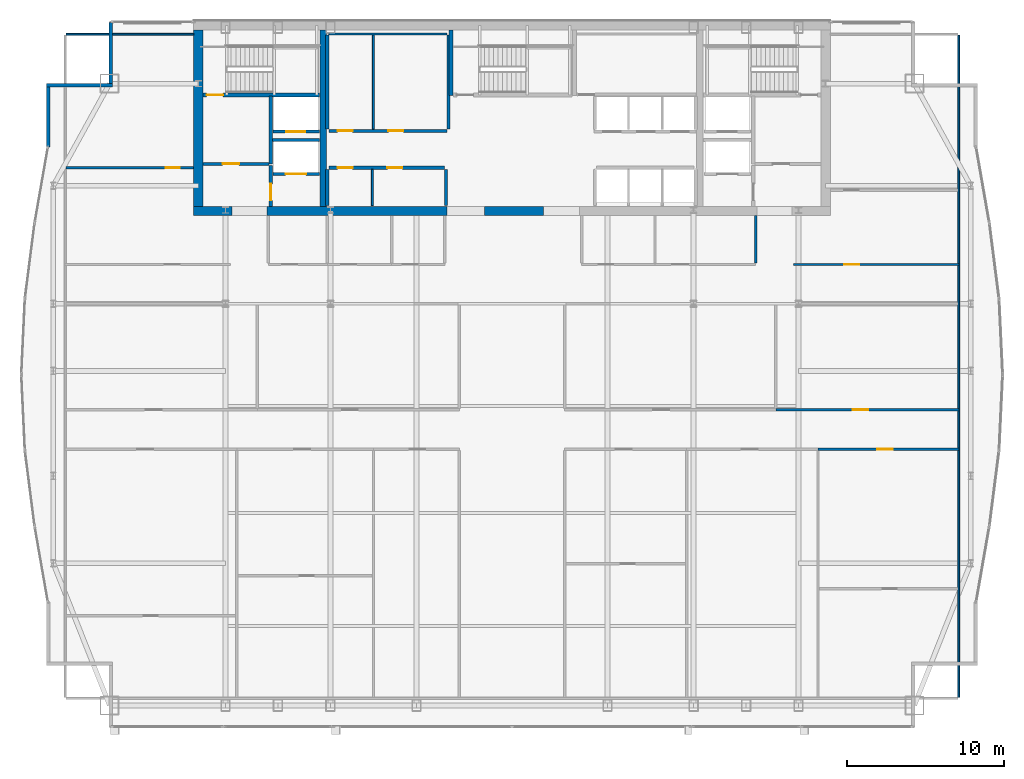
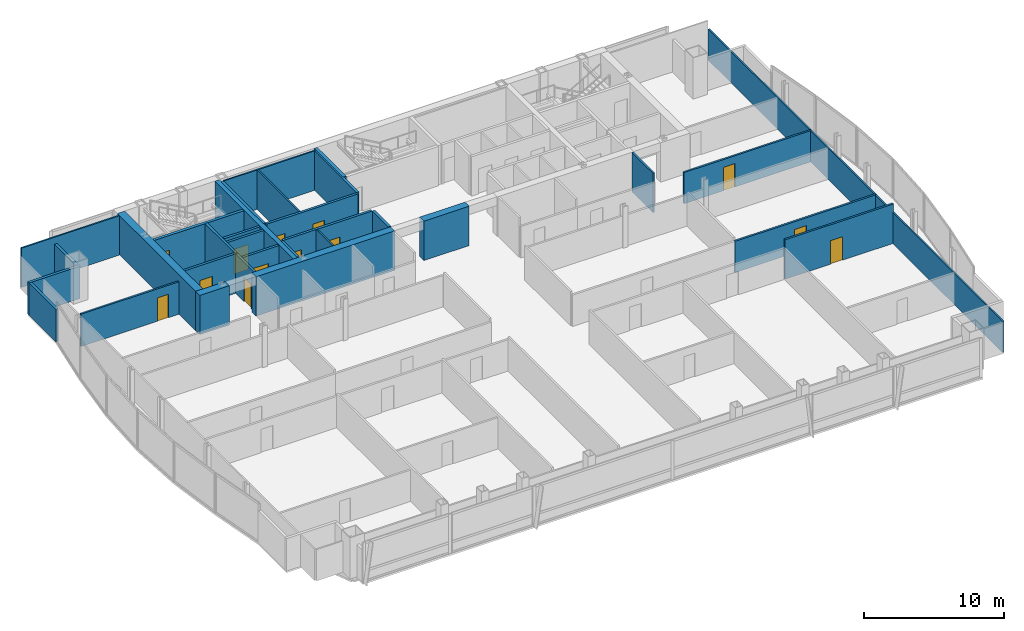
# One storey, part 26 of 30: 32 walls, 13 doors, 13 openings.
"""IFC4 building model written with IfcOpenShell, lengths in metres."""

from ifc_helpers import new_model, si_unit, direction, frame, frame_2d, origin, place, context, subcontext, project, spatial, rectangle, extrude, material, layer, layer_set, type_object, element, fill, save


model = new_model("IFC4")

# Units and contexts
model_context = context("Model", 3, precision=1e-05, world=origin(), true_north=direction((0.0, 1.0)))
body_context = subcontext(model_context, "Body", "Model", "MODEL_VIEW")
ifc_project = project(units=[si_unit("LENGTHUNIT", "METRE"), si_unit("AREAUNIT", "SQUARE_METRE"), si_unit("VOLUMEUNIT", "CUBIC_METRE"), si_unit("PLANEANGLEUNIT", "RADIAN"), si_unit("MASSUNIT", "GRAM", prefix="KILO")], contexts=[model_context])

# Site, building, storey
site_placement = place(None, origin())
site = spatial("IfcSite", under=ifc_project, at=site_placement, CompositionType="ELEMENT")
building_placement = place(site_placement, origin())
building = spatial("IfcBuilding", under=site, at=building_placement, Name="Khoronbel Lancet Exchange", CompositionType="ELEMENT")
storey_placement = place(building_placement, frame((0.0, 0.0, 203.0)))
storey = spatial("IfcBuildingStorey", under=building, at=storey_placement, Name="L51", CompositionType="ELEMENT", Elevation=203.0)

# Walls
ifc_material_1 = material(Name="Concrete C60/75", Category="concrete")
ifc_layer_1 = layer(ifc_material_1, 0.60009765625, Name="Concrete C60/75")
ifc_layer_set_1 = layer_set([ifc_layer_1], Name="Concrete C60/75")
wall_type_1 = type_object("IfcWallType", Name="WL-CW3", PredefinedType="SHEAR", material=ifc_layer_set_1)
wall_1_placement = place(storey_placement, frame((16.5, 41.89990234375, 0.0), z_axis=(0.0, 0.0, 1.0), x_axis=(0.0, 1.0, 0.0)))
element("IfcWall", 1, at=wall_1_placement, inside=storey, type_object=wall_type_1, Name="Level L51 rear core west shear wall", PredefinedType="SHEAR", context=body_context, shape_type="SweptSolid", body=[
    extrude(rectangle(XDim=11.2001953125, YDim=0.60009765625, at=frame_2d((5.60009765625, 0.0))), origin(), (0.0, 0.0, 1.0), 3.43994140625),
])
wall_2_placement = place(storey_placement, frame((18.64990234375, 41.60009765625, 0.0), z_axis=(0.0, 0.0, 1.0), x_axis=(-1.0, 0.0, 0.0)))
element("IfcWall", 2, at=wall_2_placement, inside=storey, type_object=wall_type_1, Name="Level L51 rear core south shear wall pier P1", PredefinedType="SHEAR", context=body_context, shape_type="SweptSolid", body=[
    extrude(rectangle(XDim=2.449951171875, YDim=0.60009765625, at=frame_2d((1.22509765625, 0.0))), origin(), (0.0, 0.0, 1.0), 3.43994140625),
])
wall_3_placement = place(storey_placement, frame((32.300048828125, 41.60009765625, 0.0), z_axis=(0.0, 0.0, 1.0), x_axis=(-1.0, 0.0, 0.0)))
element("IfcWall", 3, at=wall_3_placement, inside=storey, type_object=wall_type_1, Name="Level L51 rear core south shear wall pier P2", PredefinedType="SHEAR", context=body_context, shape_type="SweptSolid", body=[
    extrude(rectangle(XDim=11.449951171875, YDim=0.60009765625, at=frame_2d((5.72509765625, 0.0))), origin(), (0.0, 0.0, 1.0), 3.43994140625),
])
wall_4_placement = place(storey_placement, frame((38.449951171875, 41.60009765625, 0.0), z_axis=(0.0, 0.0, 1.0), x_axis=(-1.0, 0.0, 0.0)))
element("IfcWall", 4, at=wall_4_placement, inside=storey, type_object=wall_type_1, Name="Level L51 rear core south shear wall pier P3", PredefinedType="SHEAR", context=body_context, shape_type="SweptSolid", body=[
    extrude(rectangle(XDim=3.75, YDim=0.60009765625, at=frame_2d((1.875, 0.0))), origin(), (0.0, 0.0, 1.0), 3.43994140625),
])
ifc_material_2 = material(Name="Precast concrete C40/50", Category="concrete")
ifc_layer_2 = layer(ifc_material_2, 0.25, Name="Precast concrete C40/50")
ifc_layer_set_2 = layer_set([ifc_layer_2], Name="Precast concrete C40/50")
wall_type_2 = type_object("IfcWallType", Name="WL-EXT250", PredefinedType="SOLIDWALL", material=ifc_layer_set_2)
wall_5_placement = place(storey_placement, frame((6.93994140625, 45.672119140625, 0.0), z_axis=(0.0, 0.0, 1.0), x_axis=(0.0, 1.0, 0.0)))
element("IfcWall", 5, at=wall_5_placement, inside=storey, type_object=wall_type_2, Name="Level L51 notched-corner limestone pier 10", PredefinedType="SOLIDWALL", context=body_context, shape_type="SweptSolid", body=[
    extrude(rectangle(XDim=3.827880859375, YDim=0.219970703125, at=frame_2d((1.9140625, 0.0))), origin(), (0.0, 0.0, 1.0), 2.830078125),
])
wall_6_placement = place(storey_placement, frame((6.830078125, 49.610107421875, 0.0), z_axis=(0.0, 0.0, 1.0), x_axis=(1.0, 0.0, 0.0)))
element("IfcWall", 6, at=wall_6_placement, inside=storey, type_object=wall_type_2, Name="Level L51 notched-corner limestone pier 11", PredefinedType="SOLIDWALL", context=body_context, shape_type="SweptSolid", body=[
    extrude(rectangle(XDim=4.219970703125, YDim=0.219970703125, at=frame_2d((2.10986328125, 0.0))), origin(), (0.0, 0.0, 1.0), 2.830078125),
])
wall_7_placement = place(storey_placement, frame((10.93994140625, 49.719970703125, 0.0), z_axis=(0.0, 0.0, 1.0), x_axis=(0.0, 1.0, 0.0)))
element("IfcWall", 7, at=wall_7_placement, inside=storey, type_object=wall_type_2, Name="Level L51 notched-corner limestone pier 12", PredefinedType="SOLIDWALL", context=body_context, shape_type="SweptSolid", body=[
    extrude(rectangle(XDim=3.909912109375, YDim=0.219970703125, at=frame_2d((1.955078125, 0.0))), origin(), (0.0, 0.0, 1.0), 2.830078125),
])
ifc_material_3 = material(Name="Acoustic Metal-Stud & Mineral-Wool Gypsum Partition 120 mm", Category="gypsum")
ifc_layer_3 = layer(ifc_material_3, 0.1201171875, Name="Acoustic Metal-Stud & Mineral-Wool Gypsum Partition 120 mm")
ifc_layer_set_3 = layer_set([ifc_layer_3], Name="Acoustic Metal-Stud & Mineral-Wool Gypsum Partition 120 mm")
wall_type_3 = type_object("IfcWallType", Name="WL-PRT120", PredefinedType="PARTITIONING", material=ifc_layer_set_3)
wall_8_placement = place(storey_placement, frame((51.949951171875, 38.280029296875, 0.0), z_axis=(0.0, 0.0, 1.0), x_axis=(0.0, 1.0, 0.0)))
element("IfcWall", 8, at=wall_8_placement, inside=storey, type_object=wall_type_3, Name="Level L51 interior partition PW-NP-1", PredefinedType="PARTITIONING", context=body_context, shape_type="SweptSolid", body=[
    extrude(rectangle(XDim=3.02001953125, YDim=0.14990234375, at=frame_2d((1.510009765625, 0.0))), origin(), (0.0, 0.0, 1.0), 3.43994140625),
])

# Wall, opening, door
wall_9_placement = place(storey_placement, frame((8.094970703125, 44.35009765625, 0.0), z_axis=(0.0, 0.0, 1.0), x_axis=(1.0, 0.0, 0.0)))
wall_9 = element("IfcWall", 9, at=wall_9_placement, inside=storey, type_object=wall_type_3, Name="Level L51 interior partition PW-NW-H", PredefinedType="PARTITIONING", context=body_context, shape_type="SweptSolid", body=[
    extrude(rectangle(XDim=8.10498046875, YDim=0.14990234375, at=frame_2d((4.052490234375, 0.0))), origin(), (0.0, 0.0, 1.0), 2.830078125),
])
opening_1_placement = place(wall_9_placement, frame((6.320068359375, 0.0, 0.0)))
opening_1 = element("IfcOpeningElement", 10, at=opening_1_placement, cuts=wall_9, Name="Opening D5", PredefinedType="OPENING", context=body_context, shape_type="SweptSolid", body=[
    extrude(rectangle(XDim=0.89990234375, YDim=2.050048828125, at=frame_2d((0.449951171875, 1.02490234375))), frame((0.0, 0.0849609375, 0.0), z_axis=(0.0, -1.0, 0.0), x_axis=(1.0, 0.0, 0.0)), (0.0, 0.0, 1.0), 0.169921875),
])
ifc_material_4 = material(Name="Acoustic Timber Pantry & Support Door", Category="wood")
door_type_1 = type_object("IfcDoorType", Name="DR-D5", OperationType="NOTDEFINED", PredefinedType="DOOR", material=ifc_material_4)
door_1_placement = place(opening_1_placement, origin())
door_1 = element("IfcDoor", 11, at=door_1_placement, inside=storey, type_object=door_type_1, Name="NW north room door L51-1", OperationType="SINGLE_SWING_LEFT", OverallHeight=2.050048828125, OverallWidth=0.89990234375, PredefinedType="DOOR", context=body_context, shape_type="SweptSolid", body=[
    extrude(rectangle(XDim=0.89990234375, YDim=2.050048828125, at=frame_2d((0.449951171875, 1.02490234375))), frame((0.0, 0.02490234375, 0.0), z_axis=(0.0, -1.0, 0.0), x_axis=(1.0, 0.0, 0.0)), (0.0, 0.0, 1.0), 0.050048828125),
])
fill(opening_1, door_1)

# Walls
wall_10_placement = place(storey_placement, frame((64.8701171875, 10.6650390625, 0.0), z_axis=(0.0, 0.0, 1.0), x_axis=(0.0, 1.0, 0.0)))
element("IfcWall", 12, at=wall_10_placement, inside=storey, type_object=wall_type_3, Name="Level L51 interior partition PW-LIN-E", PredefinedType="PARTITIONING", context=body_context, shape_type="SweptSolid", body=[
    extrude(rectangle(XDim=42.10986328125, YDim=0.1201171875, at=frame_2d((21.054931640625, 0.0))), origin(), (0.0, 0.0, 1.0), 2.72998046875),
])
wall_11_placement = place(storey_placement, frame((8.094970703125, 52.840087890625, 0.0), z_axis=(0.0, 0.0, 1.0), x_axis=(1.0, 0.0, 0.0)))
element("IfcWall", 13, at=wall_11_placement, inside=storey, type_object=wall_type_3, Name="Level L51 interior partition PW-LIN-NW", PredefinedType="PARTITIONING", context=body_context, shape_type="SweptSolid", body=[
    extrude(rectangle(XDim=8.10498046875, YDim=0.1201171875, at=frame_2d((4.052490234375, 0.0))), origin(), (0.0, 0.0, 1.0), 3.43994140625),
])
ifc_material_5 = material(Name="Fire-Rated Metal-Stud & Mineral-Wool Gypsum Partition 120 mm", Category="gypsum")
ifc_layer_4 = layer(ifc_material_5, 0.1201171875, Name="Fire-Rated Metal-Stud & Mineral-Wool Gypsum Partition 120 mm")
ifc_layer_set_4 = layer_set([ifc_layer_4], Name="Fire-Rated Metal-Stud & Mineral-Wool Gypsum Partition 120 mm")
wall_type_4 = type_object("IfcWallType", Name="WL-PRT120F", PredefinedType="PARTITIONING", material=ifc_layer_set_4)
wall_12_placement = place(storey_placement, frame((24.804931640625, 52.860107421875, 0.0), z_axis=(0.0, 0.0, 1.0), x_axis=(1.0, 0.0, 0.0)))
element("IfcWall", 14, at=wall_12_placement, inside=storey, type_object=wall_type_4, Name="Level L51 interior partition CW-PL-RN", PredefinedType="PARTITIONING", context=body_context, shape_type="SweptSolid", body=[
    extrude(rectangle(XDim=7.510009765625, YDim=0.1201171875, at=frame_2d((3.7548828125, 0.0))), origin(), (0.0, 0.0, 1.0), 3.43994140625),
])
wall_13_placement = place(storey_placement, frame((27.633544921875, 46.804931640625, 0.0), z_axis=(0.0, 0.0, 1.0), x_axis=(0.0, 1.0, 0.0)))
element("IfcWall", 15, at=wall_13_placement, inside=storey, type_object=wall_type_4, Name="Level L51 interior partition CW-PL-RS1", PredefinedType="PARTITIONING", context=body_context, shape_type="SweptSolid", body=[
    extrude(rectangle(XDim=5.989990234375, YDim=0.1201171875, at=frame_2d((2.9951171875, 0.0))), origin(), (0.0, 0.0, 1.0), 3.43994140625),
])
wall_14_placement = place(storey_placement, frame((27.569091796875, 41.949951171875, 0.0), z_axis=(0.0, 0.0, 1.0), x_axis=(0.0, 1.0, 0.0)))
element("IfcWall", 16, at=wall_14_placement, inside=storey, type_object=wall_type_4, Name="Level L51 interior partition CW-PM-RS1", PredefinedType="PARTITIONING", context=body_context, shape_type="SweptSolid", body=[
    extrude(rectangle(XDim=2.295166015625, YDim=0.1201171875, at=frame_2d((1.1474609375, 0.0))), origin(), (0.0, 0.0, 1.0), 3.43994140625),
])

# Wall, opening, door
ifc_material_6 = material(Name="Fire-Rated Twin-Stud Acoustic Gypsum Partition 150 mm", Category="gypsum")
ifc_layer_5 = layer(ifc_material_6, 0.14990234375, Name="Fire-Rated Twin-Stud Acoustic Gypsum Partition 150 mm")
ifc_layer_set_5 = layer_set([ifc_layer_5], Name="Fire-Rated Twin-Stud Acoustic Gypsum Partition 150 mm")
wall_type_5 = type_object("IfcWallType", Name="WL-PRT150C", PredefinedType="PARTITIONING", material=ifc_layer_set_5)
wall_15_placement = place(storey_placement, frame((54.35009765625, 38.199951171875, 0.0), z_axis=(0.0, 0.0, 1.0), x_axis=(1.0, 0.0, 0.0)))
wall_15 = element("IfcWall", 17, at=wall_15_placement, inside=storey, type_object=wall_type_5, Name="Level L51 interior partition PW-NE-S", PredefinedType="PARTITIONING", context=body_context, shape_type="SweptSolid", body=[
    extrude(rectangle(XDim=10.52001953125, YDim=0.14990234375, at=frame_2d((5.260009765625, 0.0))), origin(), (0.0, 0.0, 1.0), 2.72998046875),
])
opening_2_placement = place(wall_15_placement, frame((3.25, 0.0, 0.0)))
opening_2 = element("IfcOpeningElement", 18, at=opening_2_placement, cuts=wall_15, Name="Opening D1", PredefinedType="OPENING", context=body_context, shape_type="SweptSolid", body=[
    extrude(rectangle(XDim=0.949951171875, YDim=2.050048828125, at=frame_2d((0.47509765625, 1.02490234375))), frame((0.0, 0.0849609375, 0.0), z_axis=(0.0, -1.0, 0.0), x_axis=(1.0, 0.0, 0.0)), (0.0, 0.0, 1.0), 0.169921875),
])
ifc_material_7 = material(Name="Acoustic Veneered Timber & Bronze Frame Door", Category="wood")
door_type_2 = type_object("IfcDoorType", Name="DR-D1", OperationType="NOTDEFINED", PredefinedType="DOOR", material=ifc_material_7)
door_2_placement = place(opening_2_placement, origin())
door_2 = element("IfcDoor", 19, at=door_2_placement, inside=storey, type_object=door_type_2, Name="NE corner room door L51-1", OperationType="SINGLE_SWING_RIGHT", OverallHeight=2.050048828125, OverallWidth=0.949951171875, PredefinedType="DOOR", context=body_context, shape_type="SweptSolid", body=[
    extrude(rectangle(XDim=0.949951171875, YDim=2.050048828125, at=frame_2d((0.47509765625, 1.02490234375))), frame((0.0, 0.02490234375, 0.0), z_axis=(0.0, -1.0, 0.0), x_axis=(1.0, 0.0, 0.0)), (0.0, 0.0, 1.0), 0.050048828125),
])
fill(opening_2, door_2)

ifc_material_8 = material(Name="Fire-Rated Twin-Stud Acoustic Gypsum Partition 160 mm", Category="gypsum")
ifc_layer_6 = layer(ifc_material_8, 0.159912109375, Name="Fire-Rated Twin-Stud Acoustic Gypsum Partition 160 mm")
ifc_layer_set_6 = layer_set([ifc_layer_6], Name="Fire-Rated Twin-Stud Acoustic Gypsum Partition 160 mm")
wall_type_6 = type_object("IfcWallType", Name="WL-PRT160C", PredefinedType="PARTITIONING", material=ifc_layer_set_6)
wall_16_placement = place(storey_placement, frame((55.91650390625, 26.449951171875, 0.0), z_axis=(0.0, 0.0, 1.0), x_axis=(1.0, 0.0, 0.0)))
wall_16 = element("IfcWall", 20, at=wall_16_placement, inside=storey, type_object=wall_type_6, Name="Level L51 interior partition PW-Z3SE-COR3", PredefinedType="PARTITIONING", context=body_context, shape_type="SweptSolid", body=[
    extrude(rectangle(XDim=8.95361328125, YDim=0.159912109375, at=frame_2d((4.476806640625, 0.0))), origin(), (0.0, 0.0, 1.0), 3.43994140625),
])
opening_3_placement = place(wall_16_placement, frame((3.760498046875, 0.0, 0.0)))
opening_3 = element("IfcOpeningElement", 21, at=opening_3_placement, cuts=wall_16, Name="Opening D2", PredefinedType="OPENING", context=body_context, shape_type="SweptSolid", body=[
    extrude(rectangle(XDim=1.0, YDim=2.050048828125, at=frame_2d((0.5, 1.02490234375))), frame((0.0, 0.08984375, 0.0), z_axis=(0.0, -1.0, 0.0), x_axis=(1.0, 0.0, 0.0)), (0.0, 0.0, 1.0), 0.179931640625),
])
door_type_3 = type_object("IfcDoorType", Name="DR-D2", OperationType="NOTDEFINED", PredefinedType="DOOR", material=ifc_material_7)
door_3_placement = place(opening_3_placement, origin())
door_3 = element("IfcDoor", 22, at=door_3_placement, inside=storey, type_object=door_type_3, Name="Z3SE bay 3 door L51-1", OperationType="SINGLE_SWING_LEFT", OverallHeight=2.050048828125, OverallWidth=1.0, PredefinedType="DOOR", context=body_context, shape_type="SweptSolid", body=[
    extrude(rectangle(XDim=1.0, YDim=2.050048828125, at=frame_2d((0.5, 1.02490234375))), frame((0.0, 0.02490234375, 0.0), z_axis=(0.0, -1.0, 0.0), x_axis=(1.0, 0.0, 0.0)), (0.0, 0.0, 1.0), 0.050048828125),
])
fill(opening_3, door_3)

wall_17_placement = place(storey_placement, frame((53.23046875, 28.949951171875, 0.0), z_axis=(0.0, 0.0, 1.0), x_axis=(1.0, 0.0, 0.0)))
wall_17 = element("IfcWall", 23, at=wall_17_placement, inside=storey, type_object=wall_type_6, Name="Level L51 interior partition PW-Z3NE-COR2", PredefinedType="PARTITIONING", context=body_context, shape_type="SweptSolid", body=[
    extrude(rectangle(XDim=11.6396484375, YDim=0.159912109375, at=frame_2d((5.81982421875, 0.0))), origin(), (0.0, 0.0, 1.0), 2.72998046875),
])
opening_4_placement = place(wall_17_placement, frame((4.888671875, 0.0, 0.0)))
opening_4 = element("IfcOpeningElement", 24, at=opening_4_placement, cuts=wall_17, Name="Opening D2", PredefinedType="OPENING", context=body_context, shape_type="SweptSolid", body=[
    extrude(rectangle(XDim=1.0, YDim=2.050048828125, at=frame_2d((0.5, 1.02490234375))), frame((0.0, 0.08984375, 0.0), z_axis=(0.0, -1.0, 0.0), x_axis=(1.0, 0.0, 0.0)), (0.0, 0.0, 1.0), 0.179931640625),
])
door_4_placement = place(opening_4_placement, origin())
door_4 = element("IfcDoor", 25, at=door_4_placement, inside=storey, type_object=door_type_3, Name="Z3NE bay 2 door L51-1", OperationType="SINGLE_SWING_RIGHT", OverallHeight=2.050048828125, OverallWidth=1.0, PredefinedType="DOOR", context=body_context, shape_type="SweptSolid", body=[
    extrude(rectangle(XDim=1.0, YDim=2.050048828125, at=frame_2d((0.5, 1.02490234375))), frame((0.0, 0.02490234375, 0.0), z_axis=(0.0, -1.0, 0.0), x_axis=(1.0, 0.0, 0.0)), (0.0, 0.0, 1.0), 0.050048828125),
])
fill(opening_4, door_4)

ifc_material_9 = material(Name="Autoclaved Aerated Concrete Blockwork 200 mm", Category="masonry")
ifc_layer_7 = layer(ifc_material_9, 0.199951171875, Name="Autoclaved Aerated Concrete Blockwork 200 mm")
ifc_layer_set_7 = layer_set([ifc_layer_7], Name="Autoclaved Aerated Concrete Blockwork 200 mm")
wall_type_7 = type_object("IfcWallType", Name="WL-PRT200", PredefinedType="PARTITIONING", material=ifc_layer_set_7)
wall_18_placement = place(storey_placement, frame((24.2099609375, 43.949951171875, 0.0), z_axis=(0.0, 0.0, 1.0), x_axis=(-1.0, 0.0, 0.0)))
wall_18 = element("IfcWall", 26, at=wall_18_placement, inside=storey, type_object=wall_type_7, Name="Level L51 elevator hoistway landing front wall SVLW", PredefinedType="PARTITIONING", context=body_context, shape_type="SweptSolid", body=[
    extrude(rectangle(XDim=2.969970703125, YDim=0.199951171875, at=frame_2d((1.48486328125, 0.0))), origin(), (0.0, 0.0, 1.0), 3.43994140625),
])
opening_5_placement = place(wall_18_placement, frame((0.860107421875, 0.0, 0.0)))
opening_5 = element("IfcOpeningElement", 27, at=opening_5_placement, cuts=wall_18, Name="Opening LD-SVL1", PredefinedType="OPENING", context=body_context, shape_type="SweptSolid", body=[
    extrude(rectangle(XDim=1.300048828125, YDim=2.179931640625, at=frame_2d((0.64990234375, 1.08984375))), frame((0.0, 0.10986328125, 0.0), z_axis=(0.0, -1.0, 0.0), x_axis=(1.0, 0.0, 0.0)), (0.0, 0.0, 1.0), 0.219970703125),
])
ifc_material_10 = material(Name="Heavy-Duty Bi-Parting Goods Lift Landing Door", Category="steel")
door_type_4 = type_object("IfcDoorType", Name="DR-LD-SVL", OperationType="NOTDEFINED", PredefinedType="DOOR", material=ifc_material_10)
door_5_placement = place(opening_5_placement, origin())
door_5 = element("IfcDoor", 28, at=door_5_placement, inside=storey, type_object=door_type_4, Name="Elevator landing sliding door LD-SVL1 L51", OperationType="SLIDING_TO_LEFT", OverallHeight=2.179931640625, OverallWidth=1.300048828125, PredefinedType="DOOR", context=body_context, shape_type="SweptSolid", body=[
    extrude(rectangle(XDim=1.300048828125, YDim=2.179931640625, at=frame_2d((0.64990234375, 1.08984375))), frame((0.0, 0.02490234375, 0.0), z_axis=(0.0, -1.0, 0.0), x_axis=(1.0, 0.0, 0.0)), (0.0, 0.0, 1.0), 0.050048828125),
])
fill(opening_5, door_5)

wall_19_placement = place(storey_placement, frame((24.2099609375, 46.64990234375, 0.0), z_axis=(0.0, 0.0, 1.0), x_axis=(-1.0, 0.0, 0.0)))
wall_19 = element("IfcWall", 29, at=wall_19_placement, inside=storey, type_object=wall_type_7, Name="Level L51 elevator hoistway landing front wall FFLW", PredefinedType="PARTITIONING", context=body_context, shape_type="SweptSolid", body=[
    extrude(rectangle(XDim=2.969970703125, YDim=0.199951171875, at=frame_2d((1.48486328125, 0.0))), origin(), (0.0, 0.0, 1.0), 3.43994140625),
])
opening_6_placement = place(wall_19_placement, frame((0.909912109375, 0.0, 0.0)))
opening_6 = element("IfcOpeningElement", 30, at=opening_6_placement, cuts=wall_19, Name="Opening LD-FFL1", PredefinedType="OPENING", context=body_context, shape_type="SweptSolid", body=[
    extrude(rectangle(XDim=1.199951171875, YDim=2.179931640625, at=frame_2d((0.60009765625, 1.08984375))), frame((0.0, 0.10986328125, 0.0), z_axis=(0.0, -1.0, 0.0), x_axis=(1.0, 0.0, 0.0)), (0.0, 0.0, 1.0), 0.219970703125),
])
ifc_material_11 = material(Name="Fire-Rated Stainless Bi-Parting Firefighting Lift Door", Category="steel")
door_type_5 = type_object("IfcDoorType", Name="DR-LD-FFL", OperationType="NOTDEFINED", PredefinedType="DOOR", material=ifc_material_11)
door_6_placement = place(opening_6_placement, origin())
door_6 = element("IfcDoor", 31, at=door_6_placement, inside=storey, type_object=door_type_5, Name="Elevator landing sliding door LD-FFL1 L51", OperationType="SLIDING_TO_LEFT", OverallHeight=2.179931640625, OverallWidth=1.199951171875, PredefinedType="DOOR", context=body_context, shape_type="SweptSolid", body=[
    extrude(rectangle(XDim=1.199951171875, YDim=2.179931640625, at=frame_2d((0.60009765625, 1.08984375))), frame((0.0, 0.02490234375, 0.0), z_axis=(0.0, -1.0, 0.0), x_axis=(1.0, 0.0, 0.0)), (0.0, 0.0, 1.0), 0.050048828125),
])
fill(opening_6, door_6)

# Wall
wall_20_placement = place(storey_placement, frame((21.10009765625, 44.60009765625, 0.0), z_axis=(0.0, 0.0, 1.0), x_axis=(0.0, 1.0, 0.0)))
element("IfcWall", 32, at=wall_20_placement, inside=storey, type_object=wall_type_7, Name="Level L51 interior partition CW-FFLW-E", PredefinedType="PARTITIONING", context=body_context, shape_type="SweptSolid", body=[
    extrude(rectangle(XDim=4.2998046875, YDim=0.199951171875, at=frame_2d((2.14990234375, 0.0))), origin(), (0.0, 0.0, 1.0), 3.43994140625),
])

# Wall, opening, door
wall_21_placement = place(storey_placement, frame((16.800048828125, 44.60009765625, 0.0), z_axis=(0.0, 0.0, 1.0), x_axis=(1.0, 0.0, 0.0)))
wall_21 = element("IfcWall", 33, at=wall_21_placement, inside=storey, type_object=wall_type_7, Name="Level L51 interior partition CW-FFLW-S", PredefinedType="PARTITIONING", context=body_context, shape_type="SweptSolid", body=[
    extrude(rectangle(XDim=4.199951171875, YDim=0.199951171875, at=frame_2d((2.10009765625, 0.0))), origin(), (0.0, 0.0, 1.0), 3.43994140625),
])
opening_7_placement = place(wall_21_placement, frame((1.25, 0.0, 0.0)))
opening_7 = element("IfcOpeningElement", 34, at=opening_7_placement, cuts=wall_21, Name="Opening FD1", PredefinedType="OPENING", context=body_context, shape_type="SweptSolid", body=[
    extrude(rectangle(XDim=1.050048828125, YDim=2.14990234375, at=frame_2d((0.52490234375, 1.074951171875))), frame((0.0, 0.10986328125, 0.0), z_axis=(0.0, -1.0, 0.0), x_axis=(1.0, 0.0, 0.0)), (0.0, 0.0, 1.0), 0.219970703125),
])
ifc_material_12 = material(Name="Fire-Rated Painted Steel Door Assembly", Category="steel")
door_type_6 = type_object("IfcDoorType", Name="DR-FD1", OperationType="NOTDEFINED", PredefinedType="DOOR", material=ifc_material_12)
door_7_placement = place(opening_7_placement, origin())
door_7 = element("IfcDoor", 35, at=door_7_placement, inside=storey, type_object=door_type_6, Name="West firefighting lobby FD90S door L51-1", OperationType="SINGLE_SWING_LEFT", OverallHeight=2.14990234375, OverallWidth=1.050048828125, PredefinedType="DOOR", context=body_context, shape_type="SweptSolid", body=[
    extrude(rectangle(XDim=1.050048828125, YDim=2.14990234375, at=frame_2d((0.52490234375, 1.074951171875))), frame((0.0, 0.02490234375, 0.0), z_axis=(0.0, -1.0, 0.0), x_axis=(1.0, 0.0, 0.0)), (0.0, 0.0, 1.0), 0.050048828125),
])
fill(opening_7, door_7)

# Wall
wall_22_placement = place(storey_placement, frame((21.199951171875, 46.1201171875, 0.0), z_axis=(0.0, 0.0, 1.0), x_axis=(1.0, 0.0, 0.0)))
element("IfcWall", 36, at=wall_22_placement, inside=storey, type_object=wall_type_7, Name="Level L51 interior partition CW-FFL1-S", PredefinedType="PARTITIONING", context=body_context, shape_type="SweptSolid", body=[
    extrude(rectangle(XDim=3.02001953125, YDim=0.199951171875, at=frame_2d((1.510009765625, 0.0))), origin(), (0.0, 0.0, 1.0), 3.43994140625),
])

# Wall, opening, door
wall_23_placement = place(storey_placement, frame((21.10009765625, 41.89990234375, 0.0), z_axis=(0.0, 0.0, 1.0), x_axis=(0.0, 1.0, 0.0)))
wall_23 = element("IfcWall", 37, at=wall_23_placement, inside=storey, type_object=wall_type_7, Name="Level L51 interior partition CW-SVLW-W", PredefinedType="PARTITIONING", context=body_context, shape_type="SweptSolid", body=[
    extrude(rectangle(XDim=2.59521484375, YDim=0.199951171875, at=frame_2d((1.297607421875, 0.0))), origin(), (0.0, 0.0, 1.0), 3.43994140625),
])
opening_8_placement = place(wall_23_placement, frame((0.3798828125, 0.0, 0.0)))
opening_8 = element("IfcOpeningElement", 38, at=opening_8_placement, cuts=wall_23, Name="Opening FD1", PredefinedType="OPENING", context=body_context, shape_type="SweptSolid", body=[
    extrude(rectangle(XDim=1.050048828125, YDim=2.14990234375, at=frame_2d((0.52490234375, 1.074951171875))), frame((0.0, 0.10986328125, 0.0), z_axis=(0.0, -1.0, 0.0), x_axis=(1.0, 0.0, 0.0)), (0.0, 0.0, 1.0), 0.219970703125),
])
door_8_placement = place(opening_8_placement, origin())
door_8 = element("IfcDoor", 39, at=door_8_placement, inside=storey, type_object=door_type_6, Name="West service lift lobby door L51-1", OperationType="SINGLE_SWING_RIGHT", OverallHeight=2.14990234375, OverallWidth=1.050048828125, PredefinedType="DOOR", context=body_context, shape_type="SweptSolid", body=[
    extrude(rectangle(XDim=1.050048828125, YDim=2.14990234375, at=frame_2d((0.52490234375, 1.074951171875))), frame((0.0, 0.02490234375, 0.0), z_axis=(0.0, -1.0, 0.0), x_axis=(1.0, 0.0, 0.0)), (0.0, 0.0, 1.0), 0.050048828125),
])
fill(opening_8, door_8)

# Walls
for number, where, z_axis, x_axis, name in (
    (40, (24.699951171875, 46.804931640625, 0.0), (0.0, 0.0, 1.0), (0.0, 1.0, 0.0), "Level L51 interior partition CW-PL-RW"),
    (41, (32.419921875, 46.804931640625, 0.0), (0.0, 0.0, 1.0), (0.0, 1.0, 0.0), "Level L51 interior partition CW-PL-RE"),
):
    element("IfcWall", number, at=place(storey_placement, frame(where, z_axis=z_axis, x_axis=x_axis)), inside=storey, type_object=wall_type_7, Name=name, PredefinedType="PARTITIONING", context=body_context, shape_type="SweptSolid", body=[
        extrude(rectangle(XDim=5.989990234375, YDim=0.199951171875, at=frame_2d((2.9951171875, 0.0))), origin(), (0.0, 0.0, 1.0), 3.43994140625),
    ])

# Wall, openings, doors
wall_24_placement = place(storey_placement, frame((24.804931640625, 46.699951171875, 0.0), z_axis=(0.0, 0.0, 1.0), x_axis=(1.0, 0.0, 0.0)))
wall_24 = element("IfcWall", 42, at=wall_24_placement, inside=storey, type_object=wall_type_7, Name="Level L51 interior partition CW-PL-RF", PredefinedType="PARTITIONING", context=body_context, shape_type="SweptSolid", body=[
    extrude(rectangle(XDim=7.510009765625, YDim=0.199951171875, at=frame_2d((3.7548828125, 0.0))), origin(), (0.0, 0.0, 1.0), 3.43994140625),
])
opening_9_placement = place(wall_24_placement, frame((0.550048828125, 0.0, 0.0)))
opening_9 = element("IfcOpeningElement", 43, at=opening_9_placement, cuts=wall_24, Name="Opening FD3", PredefinedType="OPENING", context=body_context, shape_type="SweptSolid", body=[
    extrude(rectangle(XDim=0.949951171875, YDim=2.10009765625, at=frame_2d((0.47509765625, 1.050048828125))), frame((0.0, 0.10986328125, 0.0), z_axis=(0.0, -1.0, 0.0), x_axis=(1.0, 0.0, 0.0)), (0.0, 0.0, 1.0), 0.219970703125),
])
opening_10_placement = place(wall_24_placement, frame((3.78369140625, 0.0, 0.0)))
opening_10 = element("IfcOpeningElement", 44, at=opening_10_placement, cuts=wall_24, Name="Opening FD3", PredefinedType="OPENING", context=body_context, shape_type="SweptSolid", body=[
    extrude(rectangle(XDim=0.949951171875, YDim=2.10009765625, at=frame_2d((0.47509765625, 1.050048828125))), frame((0.0, 0.10986328125, 0.0), z_axis=(0.0, -1.0, 0.0), x_axis=(1.0, 0.0, 0.0)), (0.0, 0.0, 1.0), 0.219970703125),
])
ifc_material_13 = material(Name="Fire-Rated Steel Plant & Riser Door Assembly", Category="steel")
door_type_7 = type_object("IfcDoorType", Name="DR-FD3", OperationType="NOTDEFINED", PredefinedType="DOOR", material=ifc_material_13)
door_9_placement = place(opening_9_placement, origin())
door_9 = element("IfcDoor", 45, at=door_9_placement, inside=storey, type_object=door_type_7, Name="Reclaimed PL A door L51-1", OperationType="SINGLE_SWING_LEFT", OverallHeight=2.10009765625, OverallWidth=0.949951171875, PredefinedType="DOOR", context=body_context, shape_type="SweptSolid", body=[
    extrude(rectangle(XDim=0.949951171875, YDim=2.10009765625, at=frame_2d((0.47509765625, 1.050048828125))), frame((0.0, 0.02490234375, 0.0), z_axis=(0.0, -1.0, 0.0), x_axis=(1.0, 0.0, 0.0)), (0.0, 0.0, 1.0), 0.050048828125),
])
fill(opening_9, door_9)
door_10_placement = place(opening_10_placement, origin())
door_10 = element("IfcDoor", 46, at=door_10_placement, inside=storey, type_object=door_type_7, Name="Reclaimed PL B door L51-2", OperationType="SINGLE_SWING_RIGHT", OverallHeight=2.10009765625, OverallWidth=0.949951171875, PredefinedType="DOOR", context=body_context, shape_type="SweptSolid", body=[
    extrude(rectangle(XDim=0.949951171875, YDim=2.10009765625, at=frame_2d((0.47509765625, 1.050048828125))), frame((0.0, 0.02490234375, 0.0), z_axis=(0.0, -1.0, 0.0), x_axis=(1.0, 0.0, 0.0)), (0.0, 0.0, 1.0), 0.050048828125),
])
fill(opening_10, door_10)

# Walls
for number, where, z_axis, x_axis, name in (
    (47, (24.699951171875, 41.949951171875, 0.0), (0.0, 0.0, 1.0), (0.0, 1.0, 0.0), "Level L51 interior partition CW-PM-RW"),
    (48, (32.25, 41.949951171875, 0.0), (0.0, 0.0, 1.0), (0.0, 1.0, 0.0), "Level L51 interior partition CW-PM-RE"),
):
    element("IfcWall", number, at=place(storey_placement, frame(where, z_axis=z_axis, x_axis=x_axis)), inside=storey, type_object=wall_type_7, Name=name, PredefinedType="PARTITIONING", context=body_context, shape_type="SweptSolid", body=[
        extrude(rectangle(XDim=2.295166015625, YDim=0.199951171875, at=frame_2d((1.1474609375, 0.0))), origin(), (0.0, 0.0, 1.0), 3.43994140625),
    ])

# Wall, openings, doors
wall_25_placement = place(storey_placement, frame((24.804931640625, 44.35009765625, 0.0), z_axis=(0.0, 0.0, 1.0), x_axis=(1.0, 0.0, 0.0)))
wall_25 = element("IfcWall", 49, at=wall_25_placement, inside=storey, type_object=wall_type_7, Name="Level L51 interior partition CW-PM-RF", PredefinedType="PARTITIONING", context=body_context, shape_type="SweptSolid", body=[
    extrude(rectangle(XDim=7.340087890625, YDim=0.199951171875, at=frame_2d((3.669921875, 0.0))), origin(), (0.0, 0.0, 1.0), 3.43994140625),
])
opening_11_placement = place(wall_25_placement, frame((0.550048828125, 0.0, 0.0)))
opening_11 = element("IfcOpeningElement", 50, at=opening_11_placement, cuts=wall_25, Name="Opening FD3", PredefinedType="OPENING", context=body_context, shape_type="SweptSolid", body=[
    extrude(rectangle(XDim=0.949951171875, YDim=2.10009765625, at=frame_2d((0.47509765625, 1.050048828125))), frame((0.0, 0.10986328125, 0.0), z_axis=(0.0, -1.0, 0.0), x_axis=(1.0, 0.0, 0.0)), (0.0, 0.0, 1.0), 0.219970703125),
])
opening_12_placement = place(wall_25_placement, frame((3.718994140625, 0.0, 0.0)))
opening_12 = element("IfcOpeningElement", 51, at=opening_12_placement, cuts=wall_25, Name="Opening FD3", PredefinedType="OPENING", context=body_context, shape_type="SweptSolid", body=[
    extrude(rectangle(XDim=0.949951171875, YDim=2.10009765625, at=frame_2d((0.47509765625, 1.050048828125))), frame((0.0, 0.10986328125, 0.0), z_axis=(0.0, -1.0, 0.0), x_axis=(1.0, 0.0, 0.0)), (0.0, 0.0, 1.0), 0.219970703125),
])
door_11_placement = place(opening_11_placement, origin())
door_11 = element("IfcDoor", 52, at=door_11_placement, inside=storey, type_object=door_type_7, Name="Reclaimed PM A door L51-1", OperationType="SINGLE_SWING_LEFT", OverallHeight=2.10009765625, OverallWidth=0.949951171875, PredefinedType="DOOR", context=body_context, shape_type="SweptSolid", body=[
    extrude(rectangle(XDim=0.949951171875, YDim=2.10009765625, at=frame_2d((0.47509765625, 1.050048828125))), frame((0.0, 0.02490234375, 0.0), z_axis=(0.0, -1.0, 0.0), x_axis=(1.0, 0.0, 0.0)), (0.0, 0.0, 1.0), 0.050048828125),
])
fill(opening_11, door_11)
door_12_placement = place(opening_12_placement, origin())
door_12 = element("IfcDoor", 53, at=door_12_placement, inside=storey, type_object=door_type_7, Name="Reclaimed PM B door L51-2", OperationType="SINGLE_SWING_RIGHT", OverallHeight=2.10009765625, OverallWidth=0.949951171875, PredefinedType="DOOR", context=body_context, shape_type="SweptSolid", body=[
    extrude(rectangle(XDim=0.949951171875, YDim=2.10009765625, at=frame_2d((0.47509765625, 1.050048828125))), frame((0.0, 0.02490234375, 0.0), z_axis=(0.0, -1.0, 0.0), x_axis=(1.0, 0.0, 0.0)), (0.0, 0.0, 1.0), 0.050048828125),
])
fill(opening_12, door_12)

# Walls
ifc_layer_8 = layer(ifc_material_1, 0.39990234375, Name="Concrete C60/75")
ifc_layer_set_8 = layer_set([ifc_layer_8], Name="Concrete C60/75")
wall_type_8 = type_object("IfcWallType", Name="WL-SW2", PredefinedType="SHEAR", material=ifc_layer_set_8)
wall_26_placement = place(storey_placement, frame((24.449951171875, 41.89990234375, 0.0), z_axis=(0.0, 0.0, 1.0), x_axis=(0.0, 1.0, 0.0)))
element("IfcWall", 54, at=wall_26_placement, inside=storey, type_object=wall_type_8, Name="Level L51 rear core internal spine shear wall IW", PredefinedType="SHEAR", context=body_context, shape_type="SweptSolid", body=[
    extrude(rectangle(XDim=11.2001953125, YDim=0.39990234375, at=frame_2d((5.60009765625, 0.0))), origin(), (0.0, 0.0, 1.0), 3.43994140625),
])
ifc_layer_9 = layer(ifc_material_1, 0.260009765625, Name="Concrete C60/75")
ifc_layer_set_9 = layer_set([ifc_layer_9], Name="Concrete C60/75")
wall_type_9 = type_object("IfcWallType", Name="WL-SW3", PredefinedType="SHEAR", material=ifc_layer_set_9)
wall_27_placement = place(storey_placement, frame((32.580078125, 48.949951171875, 0.0), z_axis=(0.0, 0.0, 1.0), x_axis=(0.0, 1.0, 0.0)))
element("IfcWall", 55, at=wall_27_placement, inside=storey, type_object=wall_type_9, Name="Level L51 central stairwell structural shear wall ST3W", PredefinedType="SHEAR", context=body_context, shape_type="SweptSolid", body=[
    extrude(rectangle(XDim=4.150146484375, YDim=0.260009765625, at=frame_2d((2.0751953125, 0.0))), origin(), (0.0, 0.0, 1.0), 3.43994140625),
])

# Wall, opening, door
wall_28_placement = place(storey_placement, frame((16.800048828125, 48.97998046875, 0.0), z_axis=(0.0, 0.0, 1.0), x_axis=(1.0, 0.0, 0.0)))
wall_28 = element("IfcWall", 56, at=wall_28_placement, inside=storey, type_object=wall_type_9, Name="Level L51 west stairwell structural south wall", PredefinedType="SHEAR", context=body_context, shape_type="SweptSolid", body=[
    extrude(rectangle(XDim=7.419921875, YDim=0.239990234375, at=frame_2d((3.7099609375, 0.0))), origin(), (0.0, 0.0, 1.0), 3.43994140625),
])
opening_13_placement = place(wall_28_placement, frame((0.219970703125, 0.0, 0.0)))
opening_13 = element("IfcOpeningElement", 57, at=opening_13_placement, cuts=wall_28, Name="Opening SD1", PredefinedType="OPENING", context=body_context, shape_type="SweptSolid", body=[
    extrude(rectangle(XDim=1.050048828125, YDim=2.14990234375, at=frame_2d((0.52490234375, 1.074951171875))), frame((0.0, 0.1298828125, 0.0), z_axis=(0.0, -1.0, 0.0), x_axis=(1.0, 0.0, 0.0)), (0.0, 0.0, 1.0), 0.260009765625),
])
ifc_material_14 = material(Name="Fire-Rated Steel Stairwell Door Assembly", Category="steel")
door_type_8 = type_object("IfcDoorType", Name="DR-SD1", OperationType="NOTDEFINED", PredefinedType="DOOR", material=ifc_material_14)
door_13_placement = place(opening_13_placement, origin())
door_13 = element("IfcDoor", 58, at=door_13_placement, inside=storey, type_object=door_type_8, Name="Protected exit stair ST1 door L51", OperationType="SINGLE_SWING_LEFT", OverallHeight=2.14990234375, OverallWidth=1.050048828125, PredefinedType="DOOR", context=body_context, shape_type="SweptSolid", body=[
    extrude(rectangle(XDim=1.050048828125, YDim=2.14990234375, at=frame_2d((0.52490234375, 1.074951171875))), frame((0.0, 0.02490234375, 0.0), z_axis=(0.0, -1.0, 0.0), x_axis=(1.0, 0.0, 0.0)), (0.0, 0.0, 1.0), 0.050048828125),
])
fill(opening_13, door_13)

save(model, "model.ifc")
